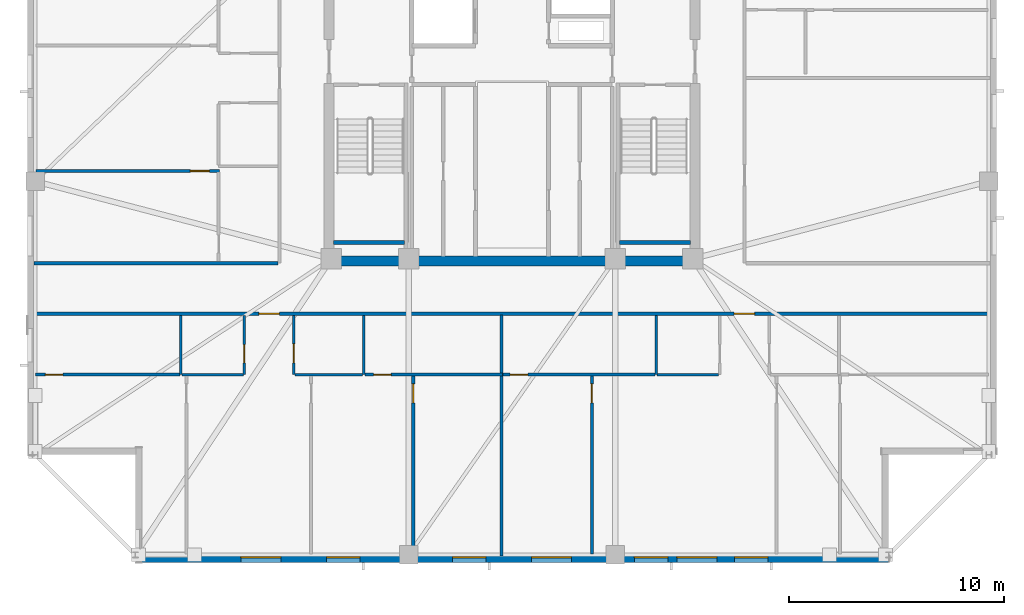
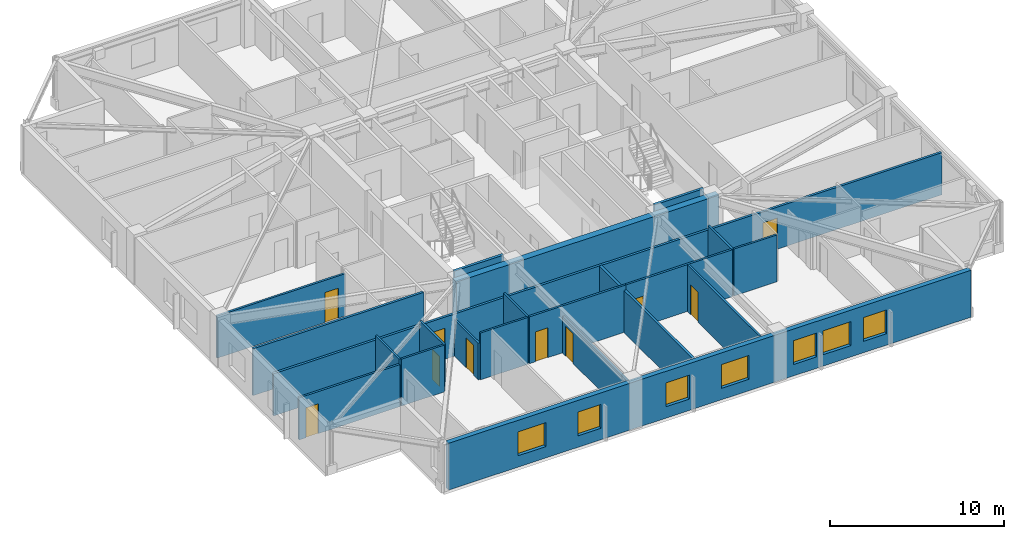
# One storey, part 7 of 17: 21 walls, 10 doors, 7 windows, 17 openings.
"""IFC4 building model written with IfcOpenShell, lengths in metres."""

import ifcopenshell
import ifcopenshell.guid

model = None  # the IFC model being written
_history = None  # IfcOwnerHistory: only IFC2X3 demands one
_inside = {}  # id of a spatial element -> (the spatial element, [elements in it])
_under = {}  # id of a project, library or spatial element -> (it, [spatial elements below it])
_declared = {}  # id of a project -> (the project, [libraries it declares])
_typed = {}  # id of a type object -> (the type object, [elements of that type])
_made_of = {}  # id of a material, layer set ... -> (it, [elements and type objects made of it])


def new_model(schema):
    """Start an empty IFC model of exactly this schema.

    Asked for "IFC4X3", IfcOpenShell would pick the latest addendum, in which some entities
    have other attributes; the version numbers below select the first issue.
    IFC2X3 requires an IfcOwnerHistory on every rooted entity: one is made here for all.
    """
    global model, _history
    if schema == "IFC4X3":
        model = ifcopenshell.file(schema_version=(4, 3, 0, 0))
    else:
        model = ifcopenshell.file(schema=schema)
    _inside.clear()
    _under.clear()
    _declared.clear()
    _typed.clear()
    _made_of.clear()
    _history = None
    if model.schema == "IFC2X3":
        org = make("IfcOrganization", Name="unknown")
        user = make(
            "IfcPersonAndOrganization",
            ThePerson=make("IfcPerson", FamilyName="unknown"),
            TheOrganization=org,
        )
        app = make(
            "IfcApplication",
            ApplicationDeveloper=org,
            Version="unknown",
            ApplicationFullName="unknown",
            ApplicationIdentifier="unknown",
        )
        _history = make(
            "IfcOwnerHistory",
            OwningUser=user,
            OwningApplication=app,
            ChangeAction="ADDED",
            CreationDate=0,
        )
    return model


def make(cls, **values):
    """One entity of the class cls with the attributes given. An attribute that is None is left unset."""
    return model.create_entity(
        cls, **{name: value for name, value in values.items() if value is not None}
    )


def rooted(cls, **values):
    """An entity with a GlobalId (a new one), such as an element, a storey or a relation."""
    return make(cls, GlobalId=ifcopenshell.guid.new(), OwnerHistory=_history, **values)


def si_unit(unit_type, name, prefix=None):
    """IfcSIUnit, for example si_unit("LENGTHUNIT", "METRE", prefix="MILLI")."""
    return make("IfcSIUnit", UnitType=unit_type, Prefix=prefix, Name=name)


def assignment(units):
    """IfcUnitAssignment: the units of a project."""
    return None if units is None else make("IfcUnitAssignment", Units=units)


def point(xyz):
    """IfcCartesianPoint."""
    return None if xyz is None else make("IfcCartesianPoint", Coordinates=xyz)


def direction(xyz):
    """IfcDirection."""
    return None if xyz is None else make("IfcDirection", DirectionRatios=xyz)


def frame(location, z_axis=None, x_axis=None):
    """IfcAxis2Placement3D, a coordinate frame: its origin and axes. An axis left out is left unset."""
    return make(
        "IfcAxis2Placement3D",
        Location=point(location),
        Axis=direction(z_axis),
        RefDirection=direction(x_axis),
    )


def frame_2d(location, x_axis=None):
    """IfcAxis2Placement2D, a coordinate frame in the plane: its origin and x axis."""
    return make(
        "IfcAxis2Placement2D", Location=point(location), RefDirection=direction(x_axis)
    )


def origin():
    """The frame at (0, 0, 0) with its axes left unset."""
    return frame((0.0, 0.0, 0.0))


def place(relative_to, where):
    """IfcLocalPlacement: puts the frame where relative to a parent placement (None: the world)."""
    return make(
        "IfcLocalPlacement", PlacementRelTo=relative_to, RelativePlacement=where
    )


def context(
    kind, dimensions, precision=None, world=None, true_north=None, identifier=None
):
    """IfcGeometricRepresentationContext, for example the 3D "Model" context."""
    return make(
        "IfcGeometricRepresentationContext",
        ContextIdentifier=identifier,
        ContextType=kind,
        CoordinateSpaceDimension=dimensions,
        Precision=precision,
        WorldCoordinateSystem=world,
        TrueNorth=true_north,
    )


def subcontext(parent, identifier, kind, view, scale=None):
    """IfcGeometricRepresentationSubContext, for example "Body" below "Model"."""
    return make(
        "IfcGeometricRepresentationSubContext",
        ContextIdentifier=identifier,
        ContextType=kind,
        ParentContext=parent,
        TargetScale=scale,
        TargetView=view,
    )


def project(units=None, contexts=None):
    """IfcProject with its units and contexts."""
    return rooted(
        "IfcProject",
        Name="project",
        RepresentationContexts=contexts,
        UnitsInContext=assignment(units),
    )


def spatial(cls, under=None, at=None, **own):
    """A site, building, storey or space (cls), placed at a placement, below another one or the project."""
    s = rooted(cls, ObjectPlacement=at, **own)
    if under is not None:
        _under.setdefault(under.id(), (under, []))[1].append(s)
    return s


def profile(cls, at=None, kind="AREA", **sizes):
    """A parametric profile (cls). Its sizes go by their IFC names, for example OverallWidth=200.0."""
    return make(cls, ProfileType=kind, Position=at, **sizes)


def rectangle(**sizes):
    """IfcRectangleProfileDef."""
    return profile("IfcRectangleProfileDef", **sizes)


def extrude(swept, where, along, depth):
    """IfcExtrudedAreaSolid: the profile swept, set in the frame where, extruded along a direction by depth."""
    return make(
        "IfcExtrudedAreaSolid",
        SweptArea=swept,
        Position=where,
        ExtrudedDirection=direction(along),
        Depth=depth,
    )


def shape(context_of_items, identifier, shape_type, items):
    """IfcShapeRepresentation: the items that make up one representation, for example the "Body"."""
    return make(
        "IfcShapeRepresentation",
        ContextOfItems=context_of_items,
        RepresentationIdentifier=identifier,
        RepresentationType=shape_type,
        Items=items,
    )


def material(Name=None, Category=None):
    """IfcMaterial."""
    return make("IfcMaterial", Name=Name, Category=Category)


def layer(
    of_material, thickness, ventilated=None, Name=None, Category=None, Priority=None
):
    """IfcMaterialLayer: one layer of a wall or slab, of a material (None: an air gap)."""
    return make(
        "IfcMaterialLayer",
        Material=of_material,
        LayerThickness=thickness,
        IsVentilated=ventilated,
        Name=Name,
        Category=Category,
        Priority=Priority,
    )


def layer_set(layers, Name=None):
    """IfcMaterialLayerSet."""
    return make("IfcMaterialLayerSet", MaterialLayers=layers, LayerSetName=Name)


def made_of(thing, what):
    """Note that an element or type object is made of a material, layer set ...; save() writes the relation."""
    if what is not None:
        _made_of.setdefault(what.id(), (what, []))[1].append(thing)
    return thing


def type_object(cls, material=None, **own):
    """A type object (cls), such as IfcWallType, which elements share."""
    return made_of(rooted(cls, **own), material)


def element(
    cls,
    number,
    at=None,
    inside=None,
    cuts=None,
    type_object=None,
    material=None,
    context=None,
    identifier="Body",
    shape_type=None,
    held_by="IfcProductDefinitionShape",
    body=None,
    shapes=None,
    **own,
):
    """One element of the class cls, such as IfcWall. Its Tag is "e" and its number.

    at: its placement. inside: the storey or other place that contains it. cuts: it is an
    opening in that element (IfcRelVoidsElement). A single representation is given by context,
    identifier, shape_type and body (its items); several are given by shapes. held_by: the class
    of the entity that holds the representations. save() writes the other relations.
    """
    e = rooted(cls, Tag="e%d" % number, ObjectPlacement=at, **own)
    if body is not None:
        shapes = [shape(context, identifier, shape_type, body)]
    if shapes is not None:
        e.Representation = make(held_by, Representations=shapes)
    if inside is not None:
        _inside.setdefault(inside.id(), (inside, []))[1].append(e)
    if cuts is not None:
        rooted(
            "IfcRelVoidsElement", RelatingBuildingElement=cuts, RelatedOpeningElement=e
        )
    if type_object is not None:
        _typed.setdefault(type_object.id(), (type_object, []))[1].append(e)
    return made_of(e, material)


def fill(opening, filler):
    """IfcRelFillsElement: the door or window that sits in an opening."""
    return rooted(
        "IfcRelFillsElement",
        RelatingOpeningElement=opening,
        RelatedBuildingElement=filler,
    )


def aggregate(whole, parts):
    """IfcRelAggregates: a whole, such as a stair, and the parts it consists of."""
    return rooted("IfcRelAggregates", RelatingObject=whole, RelatedObjects=parts)


def save(model, path):
    """Write the relations noted so far, then the file.

    IfcRelAggregates (storeys below a building ...), IfcRelContainedInSpatialStructure (elements
    in a storey), IfcRelDefinesByType, IfcRelAssociatesMaterial and IfcRelDeclares: one each for
    every whole, place, type object, material and project.
    """
    for whole, parts in _under.values():
        aggregate(whole, parts)
    for where, things in _inside.values():
        rooted(
            "IfcRelContainedInSpatialStructure",
            RelatedElements=things,
            RelatingStructure=where,
        )
    for kind, things in _typed.values():
        rooted("IfcRelDefinesByType", RelatedObjects=things, RelatingType=kind)
    for what, things in _made_of.values():
        rooted("IfcRelAssociatesMaterial", RelatedObjects=things, RelatingMaterial=what)
    for by, libraries in _declared.values():
        rooted("IfcRelDeclares", RelatingContext=by, RelatedDefinitions=libraries)
    model.write(path)


model = new_model("IFC4")

# Units and contexts
model_context = context("Model", 3, precision=1e-05, world=origin(), true_north=direction((0.0, 1.0)))
body_context = subcontext(model_context, "Body", "Model", "MODEL_VIEW")
ifc_project = project(units=[si_unit("LENGTHUNIT", "METRE"), si_unit("AREAUNIT", "SQUARE_METRE"), si_unit("VOLUMEUNIT", "CUBIC_METRE"), si_unit("PLANEANGLEUNIT", "RADIAN"), si_unit("MASSUNIT", "GRAM", prefix="KILO")], contexts=[model_context])

# Site, building, storey
site_placement = place(None, origin())
site = spatial("IfcSite", under=ifc_project, at=site_placement, CompositionType="ELEMENT")
building_placement = place(site_placement, origin())
building = spatial("IfcBuilding", under=site, at=building_placement, Name="Cairnveth Concourse Tower", CompositionType="ELEMENT")
storey_placement = place(building_placement, frame((0.0, 0.0, 206.0)))
storey = spatial("IfcBuildingStorey", under=building, at=storey_placement, Name="L56", CompositionType="ELEMENT", Elevation=206.0)

# Wall, openings, doors
ifc_material_1 = material(Name="Gypsum Plasterboard Partition", Category="gypsum")
ifc_layer_1 = layer(ifc_material_1, 0.159912109375)
ifc_layer_set_1 = layer_set([ifc_layer_1], Name="Gypsum Plasterboard Partition")
wall_type_1 = type_object("IfcWallType", Name="ACOUSTIC PARTY WALL 180", PredefinedType="PARTITIONING", material=ifc_layer_set_1)
wall_1_placement = place(storey_placement, frame((29.804931640625, 28.050048828125, 0.0), z_axis=(0.0, 0.0, 1.0), x_axis=(1.0, 0.0, 0.0)))
wall_1 = element("IfcWall", 1, at=wall_1_placement, inside=storey, type_object=wall_type_1, Name="Interior Wall IW-L56-036", PredefinedType="PARTITIONING", context=body_context, shape_type="SweptSolid", body=[
    extrude(rectangle(XDim=44.39013671875, YDim=0.159912109375, at=frame_2d((22.195068359375, 0.0))), origin(), (0.0, 0.0, 1.0), 2.9580078125),
])
opening_1_placement = place(wall_1_placement, frame((10.43115234375, 0.0, 0.0)))
opening_1 = element("IfcOpeningElement", 2, at=opening_1_placement, cuts=wall_1, Name="Opening ID10", PredefinedType="OPENING", context=body_context, shape_type="SweptSolid", body=[
    extrude(rectangle(XDim=0.9599609375, YDim=2.179931640625, at=frame_2d((0.47998046875, 1.08984375))), frame((0.0, 0.08984375, 0.0), z_axis=(0.0, -1.0, 0.0), x_axis=(1.0, 0.0, 0.0)), (0.0, 0.0, 1.0), 0.179931640625),
])
opening_2_placement = place(wall_1_placement, frame((32.51123046875, 0.0, 0.0)))
opening_2 = element("IfcOpeningElement", 3, at=opening_2_placement, cuts=wall_1, Name="Opening ID10", PredefinedType="OPENING", context=body_context, shape_type="SweptSolid", body=[
    extrude(rectangle(XDim=0.9599609375, YDim=2.179931640625, at=frame_2d((0.47998046875, 1.08984375))), frame((0.0, 0.08984375, 0.0), z_axis=(0.0, -1.0, 0.0), x_axis=(1.0, 0.0, 0.0)), (0.0, 0.0, 1.0), 0.179931640625),
])
ifc_material_2 = material(Name="Solid Core Hardwood Timber Leaf", Category="wood")
door_type_1 = type_object("IfcDoorType", Name="FLAT ENTRANCE DOOR 960X2150", OperationType="NOTDEFINED", PredefinedType="DOOR", material=ifc_material_2)
door_1_placement = place(opening_1_placement, origin())
door_1 = element("IfcDoor", 4, at=door_1_placement, inside=storey, type_object=door_type_1, Name="Apartment L56S1 Entrance Door", OperationType="SINGLE_SWING_RIGHT", OverallHeight=2.179931640625, OverallWidth=0.9599609375, PredefinedType="DOOR", context=body_context, shape_type="SweptSolid", body=[
    extrude(rectangle(XDim=0.9599609375, YDim=2.179931640625, at=frame_2d((0.47998046875, 1.08984375))), frame((0.0, 0.02490234375, 0.0), z_axis=(0.0, -1.0, 0.0), x_axis=(1.0, 0.0, 0.0)), (0.0, 0.0, 1.0), 0.050048828125),
])
fill(opening_1, door_1)
door_2_placement = place(opening_2_placement, origin())
door_2 = element("IfcDoor", 5, at=door_2_placement, inside=storey, type_object=door_type_1, Name="Apartment L56S2 Entrance Door", OperationType="SINGLE_SWING_RIGHT", OverallHeight=2.179931640625, OverallWidth=0.9599609375, PredefinedType="DOOR", context=body_context, shape_type="SweptSolid", body=[
    extrude(rectangle(XDim=0.9599609375, YDim=2.179931640625, at=frame_2d((0.47998046875, 1.08984375))), frame((0.0, 0.02490234375, 0.0), z_axis=(0.0, -1.0, 0.0), x_axis=(1.0, 0.0, 0.0)), (0.0, 0.0, 1.0), 0.050048828125),
])
fill(opening_2, door_2)

# Walls
wall_2_placement = place(storey_placement, frame((29.804931640625, 30.39990234375, 0.0), z_axis=(0.0, 0.0, 1.0), x_axis=(1.0, 0.0, 0.0)))
element("IfcWall", 6, at=wall_2_placement, inside=storey, type_object=wall_type_1, Name="Interior Wall IW-L56-040", PredefinedType="PARTITIONING", context=body_context, shape_type="SweptSolid", body=[
    extrude(rectangle(XDim=11.330078125, YDim=0.159912109375, at=frame_2d((5.6650390625, 0.0))), origin(), (0.0, 0.0, 1.0), 3.2900390625),
])
wall_3_placement = place(storey_placement, frame((51.512451171875, 16.804931640625, 0.0), z_axis=(0.0, 0.0, 1.0), x_axis=(0.0, 1.0, 0.0)))
element("IfcWall", 7, at=wall_3_placement, inside=storey, type_object=wall_type_1, Name="Interior Wall IW-L56-055", PredefinedType="PARTITIONING", context=body_context, shape_type="SweptSolid", body=[
    extrude(rectangle(XDim=11.18017578125, YDim=0.159912109375, at=frame_2d((5.590087890625, 0.0))), origin(), (0.0, 0.0, 1.0), 2.9580078125),
])
ifc_material_3 = material(Name="Concrete N65 (65 MPa)", Category="concrete")
ifc_layer_2 = layer(ifc_material_3, 0.449951171875)
ifc_layer_set_2 = layer_set([ifc_layer_2], Name="Concrete N65 (65 MPa)")
wall_type_2 = type_object("IfcWallType", Name="CORE SHEAR WALL 450", PredefinedType="SHEAR", material=ifc_layer_set_2)
wall_4_placement = place(storey_placement, frame((43.27490234375, 30.5, 0.0), z_axis=(0.0, 0.0, 1.0), x_axis=(1.0, 0.0, 0.0)))
element("IfcWall", 8, at=wall_4_placement, inside=storey, type_object=wall_type_2, Name="Core South Shear Wall L56", PredefinedType="SHEAR", context=body_context, shape_type="SweptSolid", body=[
    extrude(rectangle(XDim=17.4501953125, YDim=0.449951171875, at=frame_2d((8.72509765625, 0.0))), origin(), (0.0, 0.0, 1.0), 3.2900390625),
])
ifc_material_4 = material(Name="Concrete N50 (50 MPa)", Category="concrete")
ifc_layer_3 = layer(ifc_material_4, 0.179931640625)
ifc_layer_set_3 = layer_set([ifc_layer_3], Name="Concrete N50 (50 MPa)")
wall_type_3 = type_object("IfcWallType", Name="FIRE SHAFT WALL 180", PredefinedType="SOLIDWALL", material=ifc_layer_set_3)
for number, where, z_axis, x_axis, name in (
    (9, (43.715087890625, 31.360107421875, 0.0), (0.0, 0.0, 1.0), (1.0, 0.0, 0.0), "Stair ST-1 Shaft Wall FAR L56"),
    (10, (57.0048828125, 31.360107421875, 0.0), (0.0, 0.0, 1.0), (1.0, 0.0, 0.0), "Stair ST-2 Shaft Wall FAR L56"),
):
    element("IfcWall", number, at=place(storey_placement, frame(where, z_axis=z_axis, x_axis=x_axis)), inside=storey, type_object=wall_type_3, Name=name, PredefinedType="SOLIDWALL", context=body_context, shape_type="SweptSolid", body=[
        extrude(rectangle(XDim=3.280029296875, YDim=0.179931640625, at=frame_2d((1.64013671875, 0.0))), origin(), (0.0, 0.0, 1.0), 3.2900390625),
    ])

# Wall, opening, door
ifc_layer_4 = layer(ifc_material_1, 0.139892578125)
ifc_layer_set_4 = layer_set([ifc_layer_4], Name="Gypsum Plasterboard Partition")
wall_type_4 = type_object("IfcWallType", Name="GYPSUM STUD PARTITION 140", PredefinedType="PARTITIONING", material=ifc_layer_set_4)
wall_5_placement = place(storey_placement, frame((29.8701171875, 25.219970703125, 0.0), z_axis=(0.0, 0.0, 1.0), x_axis=(1.0, 0.0, 0.0)))
wall_5 = element("IfcWall", 11, at=wall_5_placement, inside=storey, type_object=wall_type_4, Name="Interior Wall IW-L56-051", PredefinedType="PARTITIONING", context=body_context, shape_type="SweptSolid", body=[
    extrude(rectangle(XDim=6.6962890625, YDim=0.139892578125, at=frame_2d((3.34814453125, 0.0))), origin(), (0.0, 0.0, 1.0), 2.9580078125),
])
opening_3_placement = place(wall_5_placement, frame((0.449951171875, 0.0, 0.0)))
opening_3 = element("IfcOpeningElement", 12, at=opening_3_placement, cuts=wall_5, Name="Opening ID22", PredefinedType="OPENING", context=body_context, shape_type="SweptSolid", body=[
    extrude(rectangle(XDim=0.820068359375, YDim=2.10009765625, at=frame_2d((0.41015625, 1.050048828125))), frame((0.0, 0.079833984375, 0.0), z_axis=(0.0, -1.0, 0.0), x_axis=(1.0, 0.0, 0.0)), (0.0, 0.0, 1.0), 0.159912109375),
])
door_type_2 = type_object("IfcDoorType", Name="INTERIOR WC DOOR 820X2100", OperationType="NOTDEFINED", PredefinedType="DOOR", material=ifc_material_2)
door_3_placement = place(opening_3_placement, origin())
door_3 = element("IfcDoor", 13, at=door_3_placement, inside=storey, type_object=door_type_2, Name="L56S1 Dressing Door", OperationType="SINGLE_SWING_LEFT", OverallHeight=2.10009765625, OverallWidth=0.820068359375, PredefinedType="DOOR", context=body_context, shape_type="SweptSolid", body=[
    extrude(rectangle(XDim=0.820068359375, YDim=2.10009765625, at=frame_2d((0.41015625, 1.050048828125))), frame((0.0, 0.02490234375, 0.0), z_axis=(0.0, -1.0, 0.0), x_axis=(1.0, 0.0, 0.0)), (0.0, 0.0, 1.0), 0.050048828125),
])
fill(opening_3, door_3)

wall_6_placement = place(storey_placement, frame((47.41259765625, 16.8798828125, 0.0), z_axis=(0.0, 0.0, 1.0), x_axis=(0.0, 1.0, 0.0)))
wall_6 = element("IfcWall", 14, at=wall_6_placement, inside=storey, type_object=wall_type_4, Name="Interior Wall IW-L56-052", PredefinedType="PARTITIONING", context=body_context, shape_type="SweptSolid", body=[
    extrude(rectangle(XDim=8.380126953125, YDim=0.139892578125, at=frame_2d((4.18994140625, 0.0))), origin(), (0.0, 0.0, 1.0), 2.572998046875),
])
opening_4_placement = place(wall_6_placement, frame((7.030029296875, 0.0, 0.0)))
opening_4 = element("IfcOpeningElement", 15, at=opening_4_placement, cuts=wall_6, Name="Opening ID18", PredefinedType="OPENING", context=body_context, shape_type="SweptSolid", body=[
    extrude(rectangle(XDim=0.8798828125, YDim=2.10009765625, at=frame_2d((0.43994140625, 1.050048828125))), frame((0.0, 0.079833984375, 0.0), z_axis=(0.0, -1.0, 0.0), x_axis=(1.0, 0.0, 0.0)), (0.0, 0.0, 1.0), 0.159912109375),
])
door_type_3 = type_object("IfcDoorType", Name="INTERIOR SINGLE DOOR 880X2100", OperationType="NOTDEFINED", PredefinedType="DOOR", material=ifc_material_2)
door_4_placement = place(opening_4_placement, origin())
door_4 = element("IfcDoor", 16, at=door_4_placement, inside=storey, type_object=door_type_3, Name="L56S1 Bedroom 2 Door", OperationType="SINGLE_SWING_RIGHT", OverallHeight=2.10009765625, OverallWidth=0.8798828125, PredefinedType="DOOR", context=body_context, shape_type="SweptSolid", body=[
    extrude(rectangle(XDim=0.8798828125, YDim=2.10009765625, at=frame_2d((0.43994140625, 1.050048828125))), frame((0.0, 0.02490234375, 0.0), z_axis=(0.0, -1.0, 0.0), x_axis=(1.0, 0.0, 0.0)), (0.0, 0.0, 1.0), 0.050048828125),
])
fill(opening_4, door_4)

wall_7_placement = place(storey_placement, frame((45.166259765625, 25.219970703125, 0.0), z_axis=(0.0, 0.0, 1.0), x_axis=(1.0, 0.0, 0.0)))
wall_7 = element("IfcWall", 17, at=wall_7_placement, inside=storey, type_object=wall_type_4, Name="Interior Wall IW-L56-053", PredefinedType="PARTITIONING", context=body_context, shape_type="SweptSolid", body=[
    extrude(rectangle(XDim=6.396240234375, YDim=0.139892578125, at=frame_2d((3.1982421875, 0.0))), origin(), (0.0, 0.0, 1.0), 3.2900390625),
])
opening_5_placement = place(wall_7_placement, frame((0.39990234375, 0.0, 0.0)))
opening_5 = element("IfcOpeningElement", 18, at=opening_5_placement, cuts=wall_7, Name="Opening ID22", PredefinedType="OPENING", context=body_context, shape_type="SweptSolid", body=[
    extrude(rectangle(XDim=0.820068359375, YDim=2.10009765625, at=frame_2d((0.41015625, 1.050048828125))), frame((0.0, 0.079833984375, 0.0), z_axis=(0.0, -1.0, 0.0), x_axis=(1.0, 0.0, 0.0)), (0.0, 0.0, 1.0), 0.159912109375),
])
door_5_placement = place(opening_5_placement, origin())
door_5 = element("IfcDoor", 19, at=door_5_placement, inside=storey, type_object=door_type_2, Name="L56S1 Utility Door", OperationType="SINGLE_SWING_LEFT", OverallHeight=2.10009765625, OverallWidth=0.820068359375, PredefinedType="DOOR", context=body_context, shape_type="SweptSolid", body=[
    extrude(rectangle(XDim=0.820068359375, YDim=2.10009765625, at=frame_2d((0.41015625, 1.050048828125))), frame((0.0, 0.02490234375, 0.0), z_axis=(0.0, -1.0, 0.0), x_axis=(1.0, 0.0, 0.0)), (0.0, 0.0, 1.0), 0.050048828125),
])
fill(opening_5, door_5)

wall_8_placement = place(storey_placement, frame((55.71240234375, 16.8798828125, 0.0), z_axis=(0.0, 0.0, 1.0), x_axis=(0.0, 1.0, 0.0)))
wall_8 = element("IfcWall", 20, at=wall_8_placement, inside=storey, type_object=wall_type_4, Name="Interior Wall IW-L56-062", PredefinedType="PARTITIONING", context=body_context, shape_type="SweptSolid", body=[
    extrude(rectangle(XDim=8.380126953125, YDim=0.139892578125, at=frame_2d((4.18994140625, 0.0))), origin(), (0.0, 0.0, 1.0), 3.2900390625),
])
opening_6_placement = place(wall_8_placement, frame((7.030029296875, 0.0, 0.0)))
opening_6 = element("IfcOpeningElement", 21, at=opening_6_placement, cuts=wall_8, Name="Opening ID18", PredefinedType="OPENING", context=body_context, shape_type="SweptSolid", body=[
    extrude(rectangle(XDim=0.8798828125, YDim=2.10009765625, at=frame_2d((0.43994140625, 1.050048828125))), frame((0.0, 0.079833984375, 0.0), z_axis=(0.0, -1.0, 0.0), x_axis=(1.0, 0.0, 0.0)), (0.0, 0.0, 1.0), 0.159912109375),
])
door_6_placement = place(opening_6_placement, origin())
door_6 = element("IfcDoor", 22, at=door_6_placement, inside=storey, type_object=door_type_3, Name="L56S2 Master Bedroom Door", OperationType="SINGLE_SWING_RIGHT", OverallHeight=2.10009765625, OverallWidth=0.8798828125, PredefinedType="DOOR", context=body_context, shape_type="SweptSolid", body=[
    extrude(rectangle(XDim=0.8798828125, YDim=2.10009765625, at=frame_2d((0.43994140625, 1.050048828125))), frame((0.0, 0.02490234375, 0.0), z_axis=(0.0, -1.0, 0.0), x_axis=(1.0, 0.0, 0.0)), (0.0, 0.0, 1.0), 0.050048828125),
])
fill(opening_6, door_6)

wall_9_placement = place(storey_placement, frame((51.577392578125, 25.219970703125, 0.0), z_axis=(0.0, 0.0, 1.0), x_axis=(1.0, 0.0, 0.0)))
wall_9 = element("IfcWall", 23, at=wall_9_placement, inside=storey, type_object=wall_type_4, Name="Interior Wall IW-L56-063", PredefinedType="PARTITIONING", context=body_context, shape_type="SweptSolid", body=[
    extrude(rectangle(XDim=7.06884765625, YDim=0.139892578125, at=frame_2d((3.534423828125, 0.0))), origin(), (0.0, 0.0, 1.0), 3.2900390625),
])
opening_7_placement = place(wall_9_placement, frame((0.3349609375, 0.0, 0.0)))
opening_7 = element("IfcOpeningElement", 24, at=opening_7_placement, cuts=wall_9, Name="Opening ID22", PredefinedType="OPENING", context=body_context, shape_type="SweptSolid", body=[
    extrude(rectangle(XDim=0.820068359375, YDim=2.10009765625, at=frame_2d((0.41015625, 1.050048828125))), frame((0.0, 0.079833984375, 0.0), z_axis=(0.0, -1.0, 0.0), x_axis=(1.0, 0.0, 0.0)), (0.0, 0.0, 1.0), 0.159912109375),
])
door_7_placement = place(opening_7_placement, origin())
door_7 = element("IfcDoor", 25, at=door_7_placement, inside=storey, type_object=door_type_2, Name="L56S2 Dressing Door", OperationType="SINGLE_SWING_LEFT", OverallHeight=2.10009765625, OverallWidth=0.820068359375, PredefinedType="DOOR", context=body_context, shape_type="SweptSolid", body=[
    extrude(rectangle(XDim=0.820068359375, YDim=2.10009765625, at=frame_2d((0.41015625, 1.050048828125))), frame((0.0, 0.02490234375, 0.0), z_axis=(0.0, -1.0, 0.0), x_axis=(1.0, 0.0, 0.0)), (0.0, 0.0, 1.0), 0.050048828125),
])
fill(opening_7, door_7)

wall_10_placement = place(storey_placement, frame((29.8798828125, 34.679931640625, 0.0), z_axis=(0.0, 0.0, 1.0), x_axis=(1.0, 0.0, 0.0)))
wall_10 = element("IfcWall", 26, at=wall_10_placement, inside=storey, type_object=wall_type_4, Name="Interior Wall IW-L56-096", PredefinedType="PARTITIONING", context=body_context, shape_type="SweptSolid", body=[
    extrude(rectangle(XDim=8.530029296875, YDim=0.139892578125, at=frame_2d((4.26513671875, 0.0))), origin(), (0.0, 0.0, 1.0), 2.9580078125),
])
opening_8_placement = place(wall_10_placement, frame((7.179931640625, 0.0, 0.0)))
opening_8 = element("IfcOpeningElement", 27, at=opening_8_placement, cuts=wall_10, Name="Opening ID18", PredefinedType="OPENING", context=body_context, shape_type="SweptSolid", body=[
    extrude(rectangle(XDim=0.8798828125, YDim=2.10009765625, at=frame_2d((0.43994140625, 1.050048828125))), frame((0.0, 0.079833984375, 0.0), z_axis=(0.0, -1.0, 0.0), x_axis=(1.0, 0.0, 0.0)), (0.0, 0.0, 1.0), 0.159912109375),
])
door_8_placement = place(opening_8_placement, origin())
door_8 = element("IfcDoor", 28, at=door_8_placement, inside=storey, type_object=door_type_3, Name="L56W1 Master Bedroom Door", OperationType="SINGLE_SWING_RIGHT", OverallHeight=2.10009765625, OverallWidth=0.8798828125, PredefinedType="DOOR", context=body_context, shape_type="SweptSolid", body=[
    extrude(rectangle(XDim=0.8798828125, YDim=2.10009765625, at=frame_2d((0.43994140625, 1.050048828125))), frame((0.0, 0.02490234375, 0.0), z_axis=(0.0, -1.0, 0.0), x_axis=(1.0, 0.0, 0.0)), (0.0, 0.0, 1.0), 0.050048828125),
])
fill(opening_8, door_8)

# Wall
ifc_layer_5 = layer(ifc_material_1, 0.1298828125)
ifc_layer_set_5 = layer_set([ifc_layer_5], Name="Gypsum Plasterboard Partition")
wall_type_5 = type_object("IfcWallType", Name="WET AREA PARTITION 140", PredefinedType="PLUMBINGWALL", material=ifc_layer_set_5)
wall_11_placement = place(storey_placement, frame((36.6162109375, 25.219970703125, 0.0), z_axis=(0.0, 0.0, 1.0), x_axis=(0.0, 1.0, 0.0)))
element("IfcWall", 29, at=wall_11_placement, inside=storey, type_object=wall_type_5, Name="Interior Wall IW-L56-044", PredefinedType="PLUMBINGWALL", context=body_context, shape_type="SweptSolid", body=[
    extrude(rectangle(XDim=2.75, YDim=0.1298828125, at=frame_2d((1.375, 0.0))), origin(), (0.0, 0.0, 1.0), 3.2900390625),
])

# Wall, opening, door
wall_12_placement = place(storey_placement, frame((39.56640625, 25.219970703125, 0.0), z_axis=(0.0, 0.0, 1.0), x_axis=(0.0, 1.0, 0.0)))
wall_12 = element("IfcWall", 30, at=wall_12_placement, inside=storey, type_object=wall_type_5, Name="Interior Wall IW-L56-045", PredefinedType="PLUMBINGWALL", context=body_context, shape_type="SweptSolid", body=[
    extrude(rectangle(XDim=2.75, YDim=0.1298828125, at=frame_2d((1.375, 0.0))), origin(), (0.0, 0.0, 1.0), 3.2900390625),
])
opening_9_placement = place(wall_12_placement, frame((0.550048828125, 0.0, 0.0)))
opening_9 = element("IfcOpeningElement", 31, at=opening_9_placement, cuts=wall_12, Name="Opening ID21", PredefinedType="OPENING", context=body_context, shape_type="SweptSolid", body=[
    extrude(rectangle(XDim=0.85009765625, YDim=2.080078125, at=frame_2d((0.425048828125, 1.0400390625))), frame((0.0, 0.074951171875, 0.0), z_axis=(0.0, -1.0, 0.0), x_axis=(1.0, 0.0, 0.0)), (0.0, 0.0, 1.0), 0.14990234375),
])
door_type_4 = type_object("IfcDoorType", Name="INTERIOR WC DOOR 850X2100", OperationType="NOTDEFINED", PredefinedType="DOOR", material=ifc_material_2)
door_9_placement = place(opening_9_placement, origin())
door_9 = element("IfcDoor", 32, at=door_9_placement, inside=storey, type_object=door_type_4, Name="L56S1 Bathroom Door", OperationType="SINGLE_SWING_LEFT", OverallHeight=2.080078125, OverallWidth=0.85009765625, PredefinedType="DOOR", context=body_context, shape_type="SweptSolid", body=[
    extrude(rectangle(XDim=0.85009765625, YDim=2.080078125, at=frame_2d((0.425048828125, 1.0400390625))), frame((0.0, 0.02490234375, 0.0), z_axis=(0.0, -1.0, 0.0), x_axis=(1.0, 0.0, 0.0)), (0.0, 0.0, 1.0), 0.050048828125),
])
fill(opening_9, door_9)

# Walls
wall_13_placement = place(storey_placement, frame((36.666259765625, 25.219970703125, 0.0), z_axis=(0.0, 0.0, 1.0), x_axis=(1.0, 0.0, 0.0)))
element("IfcWall", 33, at=wall_13_placement, inside=storey, type_object=wall_type_5, Name="Interior Wall IW-L56-046", PredefinedType="PLUMBINGWALL", context=body_context, shape_type="SweptSolid", body=[
    extrude(rectangle(XDim=2.85009765625, YDim=0.1298828125, at=frame_2d((1.425048828125, 0.0))), origin(), (0.0, 0.0, 1.0), 3.2900390625),
])
wall_14_placement = place(storey_placement, frame((45.1162109375, 25.219970703125, 0.0), z_axis=(0.0, 0.0, 1.0), x_axis=(0.0, 1.0, 0.0)))
element("IfcWall", 34, at=wall_14_placement, inside=storey, type_object=wall_type_5, Name="Interior Wall IW-L56-047", PredefinedType="PLUMBINGWALL", context=body_context, shape_type="SweptSolid", body=[
    extrude(rectangle(XDim=2.75, YDim=0.1298828125, at=frame_2d((1.375, 0.0))), origin(), (0.0, 0.0, 1.0), 3.2900390625),
])

# Wall, opening, door
wall_15_placement = place(storey_placement, frame((41.8662109375, 25.219970703125, 0.0), z_axis=(0.0, 0.0, 1.0), x_axis=(0.0, 1.0, 0.0)))
wall_15 = element("IfcWall", 35, at=wall_15_placement, inside=storey, type_object=wall_type_5, Name="Interior Wall IW-L56-048", PredefinedType="PLUMBINGWALL", context=body_context, shape_type="SweptSolid", body=[
    extrude(rectangle(XDim=2.75, YDim=0.1298828125, at=frame_2d((1.375, 0.0))), origin(), (0.0, 0.0, 1.0), 2.572998046875),
])
opening_10_placement = place(wall_15_placement, frame((0.550048828125, 0.0, 0.0)))
opening_10 = element("IfcOpeningElement", 36, at=opening_10_placement, cuts=wall_15, Name="Opening ID18", PredefinedType="OPENING", context=body_context, shape_type="SweptSolid", body=[
    extrude(rectangle(XDim=0.8798828125, YDim=2.10009765625, at=frame_2d((0.43994140625, 1.050048828125))), frame((0.0, 0.074951171875, 0.0), z_axis=(0.0, -1.0, 0.0), x_axis=(1.0, 0.0, 0.0)), (0.0, 0.0, 1.0), 0.14990234375),
])
door_10_placement = place(opening_10_placement, origin())
door_10 = element("IfcDoor", 37, at=door_10_placement, inside=storey, type_object=door_type_3, Name="L56S1 Kitchen Door", OperationType="SINGLE_SWING_RIGHT", OverallHeight=2.10009765625, OverallWidth=0.8798828125, PredefinedType="DOOR", context=body_context, shape_type="SweptSolid", body=[
    extrude(rectangle(XDim=0.8798828125, YDim=2.10009765625, at=frame_2d((0.43994140625, 1.050048828125))), frame((0.0, 0.02490234375, 0.0), z_axis=(0.0, -1.0, 0.0), x_axis=(1.0, 0.0, 0.0)), (0.0, 0.0, 1.0), 0.050048828125),
])
fill(opening_10, door_10)

# Walls
wall_16_placement = place(storey_placement, frame((41.916259765625, 25.219970703125, 0.0), z_axis=(0.0, 0.0, 1.0), x_axis=(1.0, 0.0, 0.0)))
element("IfcWall", 38, at=wall_16_placement, inside=storey, type_object=wall_type_5, Name="Interior Wall IW-L56-049", PredefinedType="PLUMBINGWALL", context=body_context, shape_type="SweptSolid", body=[
    extrude(rectangle(XDim=3.150146484375, YDim=0.1298828125, at=frame_2d((1.5751953125, 0.0))), origin(), (0.0, 0.0, 1.0), 3.2900390625),
])
wall_17_placement = place(storey_placement, frame((58.6962890625, 25.219970703125, 0.0), z_axis=(0.0, 0.0, 1.0), x_axis=(0.0, 1.0, 0.0)))
element("IfcWall", 39, at=wall_17_placement, inside=storey, type_object=wall_type_5, Name="Interior Wall IW-L56-056", PredefinedType="PLUMBINGWALL", context=body_context, shape_type="SweptSolid", body=[
    extrude(rectangle(XDim=2.75, YDim=0.1298828125, at=frame_2d((1.375, 0.0))), origin(), (0.0, 0.0, 1.0), 3.2900390625),
])
wall_18_placement = place(storey_placement, frame((58.746337890625, 25.219970703125, 0.0), z_axis=(0.0, 0.0, 1.0), x_axis=(1.0, 0.0, 0.0)))
element("IfcWall", 40, at=wall_18_placement, inside=storey, type_object=wall_type_5, Name="Interior Wall IW-L56-058", PredefinedType="PLUMBINGWALL", context=body_context, shape_type="SweptSolid", body=[
    extrude(rectangle(XDim=2.849853515625, YDim=0.1298828125, at=frame_2d((1.4248046875, 0.0))), origin(), (0.0, 0.0, 1.0), 3.2900390625),
])

# Wall, openings, windows
ifc_material_5 = material(Name="Melbourne Buff Fired Clay Brick Masonry", Category="masonry")
ifc_layer_6 = layer(ifc_material_5, 0.320068359375)
ifc_layer_set_6 = layer_set([ifc_layer_6], Name="Melbourne Buff Fired Clay Brick Masonry")
wall_type_6 = type_object("IfcWallType", Name="ZONE 3 BRICK PIER SPANDREL WALL 320", PredefinedType="SOLIDWALL", material=ifc_layer_set_6)
wall_19_placement = place(storey_placement, frame((69.5, 16.659912109375, 0.0), z_axis=(0.0, 0.0, 1.0), x_axis=(-1.0, 0.0, 0.0)))
wall_19 = element("IfcWall", 41, at=wall_19_placement, inside=storey, type_object=wall_type_6, Name="Exterior Wall EW-L56-S06", PredefinedType="SOLIDWALL", context=body_context, shape_type="SweptSolid", body=[
    extrude(rectangle(XDim=34.701904296875, YDim=0.320068359375, at=frame_2d((17.35107421875, 0.0))), origin(), (0.0, 0.0, 1.0), 3.2900390625),
])
opening_11_placement = place(wall_19_placement, frame((5.612548828125, 0.0, 0.800048828125)))
opening_11 = element("IfcOpeningElement", 42, at=opening_11_placement, cuts=wall_19, Name="Opening W07", PredefinedType="OPENING", context=body_context, shape_type="SweptSolid", body=[
    extrude(rectangle(XDim=1.550048828125, YDim=1.677978515625, at=frame_2d((0.77490234375, 0.8388671875))), frame((0.0, 0.169921875, 0.0), z_axis=(0.0, -1.0, 0.0), x_axis=(1.0, 0.0, 0.0)), (0.0, 0.0, 1.0), 0.340087890625),
])
opening_12_placement = place(wall_19_placement, frame((7.98779296875, 0.0, 0.800048828125)))
opening_12 = element("IfcOpeningElement", 43, at=opening_12_placement, cuts=wall_19, Name="Opening W08", PredefinedType="OPENING", context=body_context, shape_type="SweptSolid", body=[
    extrude(rectangle(XDim=1.85009765625, YDim=1.677978515625, at=frame_2d((0.925048828125, 0.8388671875))), frame((0.0, 0.169921875, 0.0), z_axis=(0.0, -1.0, 0.0), x_axis=(1.0, 0.0, 0.0)), (0.0, 0.0, 1.0), 0.340087890625),
])
opening_13_placement = place(wall_19_placement, frame((10.26318359375, 0.0, 0.800048828125)))
opening_13 = element("IfcOpeningElement", 44, at=opening_13_placement, cuts=wall_19, Name="Opening W07", PredefinedType="OPENING", context=body_context, shape_type="SweptSolid", body=[
    extrude(rectangle(XDim=1.550048828125, YDim=1.677978515625, at=frame_2d((0.77490234375, 0.8388671875))), frame((0.0, 0.169921875, 0.0), z_axis=(0.0, -1.0, 0.0), x_axis=(1.0, 0.0, 0.0)), (0.0, 0.0, 1.0), 0.340087890625),
])
opening_14_placement = place(wall_19_placement, frame((14.73828125, 0.0, 0.800048828125)))
opening_14 = element("IfcOpeningElement", 45, at=opening_14_placement, cuts=wall_19, Name="Opening W08", PredefinedType="OPENING", context=body_context, shape_type="SweptSolid", body=[
    extrude(rectangle(XDim=1.85009765625, YDim=1.677978515625, at=frame_2d((0.925048828125, 0.8388671875))), frame((0.0, 0.169921875, 0.0), z_axis=(0.0, -1.0, 0.0), x_axis=(1.0, 0.0, 0.0)), (0.0, 0.0, 1.0), 0.340087890625),
])
opening_15_placement = place(wall_19_placement, frame((18.713623046875, 0.0, 0.800048828125)))
opening_15 = element("IfcOpeningElement", 46, at=opening_15_placement, cuts=wall_19, Name="Opening W07", PredefinedType="OPENING", context=body_context, shape_type="SweptSolid", body=[
    extrude(rectangle(XDim=1.550048828125, YDim=1.677978515625, at=frame_2d((0.77490234375, 0.8388671875))), frame((0.0, 0.169921875, 0.0), z_axis=(0.0, -1.0, 0.0), x_axis=(1.0, 0.0, 0.0)), (0.0, 0.0, 1.0), 0.340087890625),
])
opening_16_placement = place(wall_19_placement, frame((24.564208984375, 0.0, 0.800048828125)))
opening_16 = element("IfcOpeningElement", 47, at=opening_16_placement, cuts=wall_19, Name="Opening W07", PredefinedType="OPENING", context=body_context, shape_type="SweptSolid", body=[
    extrude(rectangle(XDim=1.550048828125, YDim=1.677978515625, at=frame_2d((0.77490234375, 0.8388671875))), frame((0.0, 0.169921875, 0.0), z_axis=(0.0, -1.0, 0.0), x_axis=(1.0, 0.0, 0.0)), (0.0, 0.0, 1.0), 0.340087890625),
])
opening_17_placement = place(wall_19_placement, frame((28.239501953125, 0.0, 0.800048828125)))
opening_17 = element("IfcOpeningElement", 48, at=opening_17_placement, cuts=wall_19, Name="Opening W08", PredefinedType="OPENING", context=body_context, shape_type="SweptSolid", body=[
    extrude(rectangle(XDim=1.85009765625, YDim=1.677978515625, at=frame_2d((0.925048828125, 0.8388671875))), frame((0.0, 0.169921875, 0.0), z_axis=(0.0, -1.0, 0.0), x_axis=(1.0, 0.0, 0.0)), (0.0, 0.0, 1.0), 0.340087890625),
])
ifc_material_6 = material(Name="Double Glazed Low-E Clear Glass", Category="glass")
window_type_1 = type_object("IfcWindowType", Name="DEEP-SET APARTMENT LIVING WINDOW 1850X1850", PartitioningType="DOUBLE_PANEL_VERTICAL", PredefinedType="WINDOW", material=ifc_material_6)
window_1_placement = place(opening_12_placement, origin())
window_1 = element("IfcWindow", 49, at=window_1_placement, inside=storey, type_object=window_type_1, Name="Gothic Lancet Window L56-6-2", OverallHeight=1.677978515625, OverallWidth=1.85009765625, PartitioningType="SINGLE_PANEL", PredefinedType="WINDOW", context=body_context, shape_type="SweptSolid", body=[
    extrude(rectangle(XDim=1.85009765625, YDim=1.677978515625, at=frame_2d((0.925048828125, 0.8388671875))), frame((0.0, -0.050048828125, 0.0), z_axis=(0.0, -1.0, 0.0), x_axis=(1.0, 0.0, 0.0)), (0.0, 0.0, 1.0), 0.06005859375),
])
fill(opening_12, window_1)
window_2_placement = place(opening_14_placement, origin())
window_2 = element("IfcWindow", 50, at=window_2_placement, inside=storey, type_object=window_type_1, Name="Gothic Lancet Window L56-6-4", OverallHeight=1.677978515625, OverallWidth=1.85009765625, PartitioningType="SINGLE_PANEL", PredefinedType="WINDOW", context=body_context, shape_type="SweptSolid", body=[
    extrude(rectangle(XDim=1.85009765625, YDim=1.677978515625, at=frame_2d((0.925048828125, 0.8388671875))), frame((0.0, -0.050048828125, 0.0), z_axis=(0.0, -1.0, 0.0), x_axis=(1.0, 0.0, 0.0)), (0.0, 0.0, 1.0), 0.06005859375),
])
fill(opening_14, window_2)
window_3_placement = place(opening_17_placement, origin())
window_3 = element("IfcWindow", 51, at=window_3_placement, inside=storey, type_object=window_type_1, Name="Gothic Lancet Window L56-6-8", OverallHeight=1.677978515625, OverallWidth=1.85009765625, PartitioningType="SINGLE_PANEL", PredefinedType="WINDOW", context=body_context, shape_type="SweptSolid", body=[
    extrude(rectangle(XDim=1.85009765625, YDim=1.677978515625, at=frame_2d((0.925048828125, 0.8388671875))), frame((0.0, -0.050048828125, 0.0), z_axis=(0.0, -1.0, 0.0), x_axis=(1.0, 0.0, 0.0)), (0.0, 0.0, 1.0), 0.06005859375),
])
fill(opening_17, window_3)
window_type_2 = type_object("IfcWindowType", Name="DEEP-SET APARTMENT WINDOW 1550X1800", PartitioningType="DOUBLE_PANEL_VERTICAL", PredefinedType="WINDOW", material=ifc_material_6)
window_4_placement = place(opening_11_placement, origin())
window_4 = element("IfcWindow", 52, at=window_4_placement, inside=storey, type_object=window_type_2, Name="Gothic Lancet Window L56-6-1", OverallHeight=1.677978515625, OverallWidth=1.550048828125, PartitioningType="SINGLE_PANEL", PredefinedType="WINDOW", context=body_context, shape_type="SweptSolid", body=[
    extrude(rectangle(XDim=1.550048828125, YDim=1.677978515625, at=frame_2d((0.77490234375, 0.8388671875))), frame((0.0, -0.050048828125, 0.0), z_axis=(0.0, -1.0, 0.0), x_axis=(1.0, 0.0, 0.0)), (0.0, 0.0, 1.0), 0.06005859375),
])
fill(opening_11, window_4)
window_5_placement = place(opening_13_placement, origin())
window_5 = element("IfcWindow", 53, at=window_5_placement, inside=storey, type_object=window_type_2, Name="Gothic Lancet Window L56-6-3", OverallHeight=1.677978515625, OverallWidth=1.550048828125, PartitioningType="SINGLE_PANEL", PredefinedType="WINDOW", context=body_context, shape_type="SweptSolid", body=[
    extrude(rectangle(XDim=1.550048828125, YDim=1.677978515625, at=frame_2d((0.77490234375, 0.8388671875))), frame((0.0, -0.050048828125, 0.0), z_axis=(0.0, -1.0, 0.0), x_axis=(1.0, 0.0, 0.0)), (0.0, 0.0, 1.0), 0.06005859375),
])
fill(opening_13, window_5)
window_6_placement = place(opening_15_placement, origin())
window_6 = element("IfcWindow", 54, at=window_6_placement, inside=storey, type_object=window_type_2, Name="Gothic Lancet Window L56-6-5", OverallHeight=1.677978515625, OverallWidth=1.550048828125, PartitioningType="SINGLE_PANEL", PredefinedType="WINDOW", context=body_context, shape_type="SweptSolid", body=[
    extrude(rectangle(XDim=1.550048828125, YDim=1.677978515625, at=frame_2d((0.77490234375, 0.8388671875))), frame((0.0, -0.050048828125, 0.0), z_axis=(0.0, -1.0, 0.0), x_axis=(1.0, 0.0, 0.0)), (0.0, 0.0, 1.0), 0.06005859375),
])
fill(opening_15, window_6)
window_7_placement = place(opening_16_placement, origin())
window_7 = element("IfcWindow", 55, at=window_7_placement, inside=storey, type_object=window_type_2, Name="Gothic Lancet Window L56-6-7", OverallHeight=1.677978515625, OverallWidth=1.550048828125, PartitioningType="SINGLE_PANEL", PredefinedType="WINDOW", context=body_context, shape_type="SweptSolid", body=[
    extrude(rectangle(XDim=1.550048828125, YDim=1.677978515625, at=frame_2d((0.77490234375, 0.8388671875))), frame((0.0, -0.050048828125, 0.0), z_axis=(0.0, -1.0, 0.0), x_axis=(1.0, 0.0, 0.0)), (0.0, 0.0, 1.0), 0.06005859375),
])
fill(opening_16, window_7)

save(model, "model.ifc")
